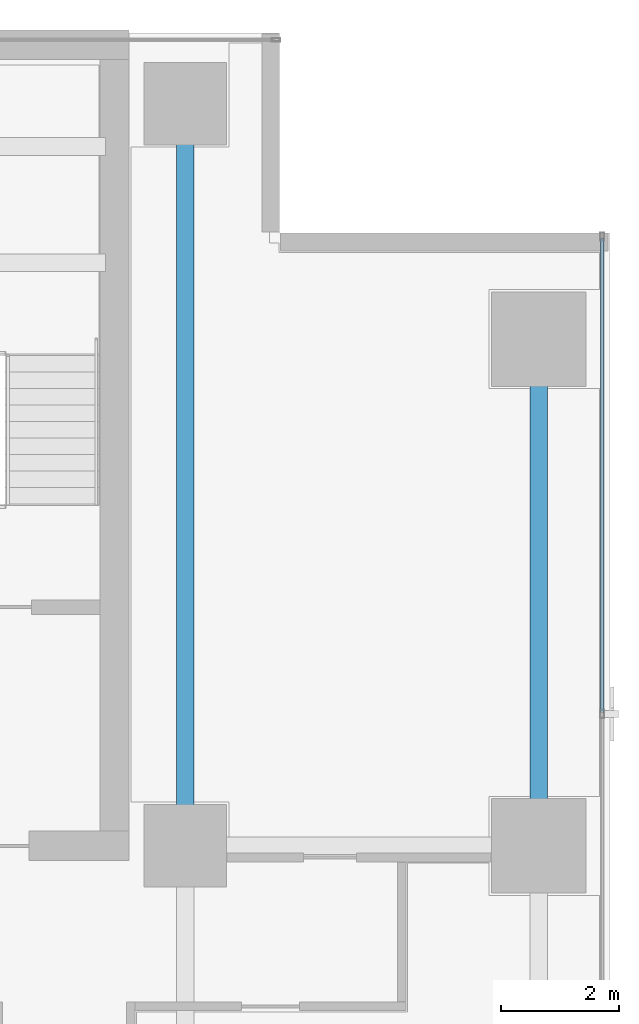
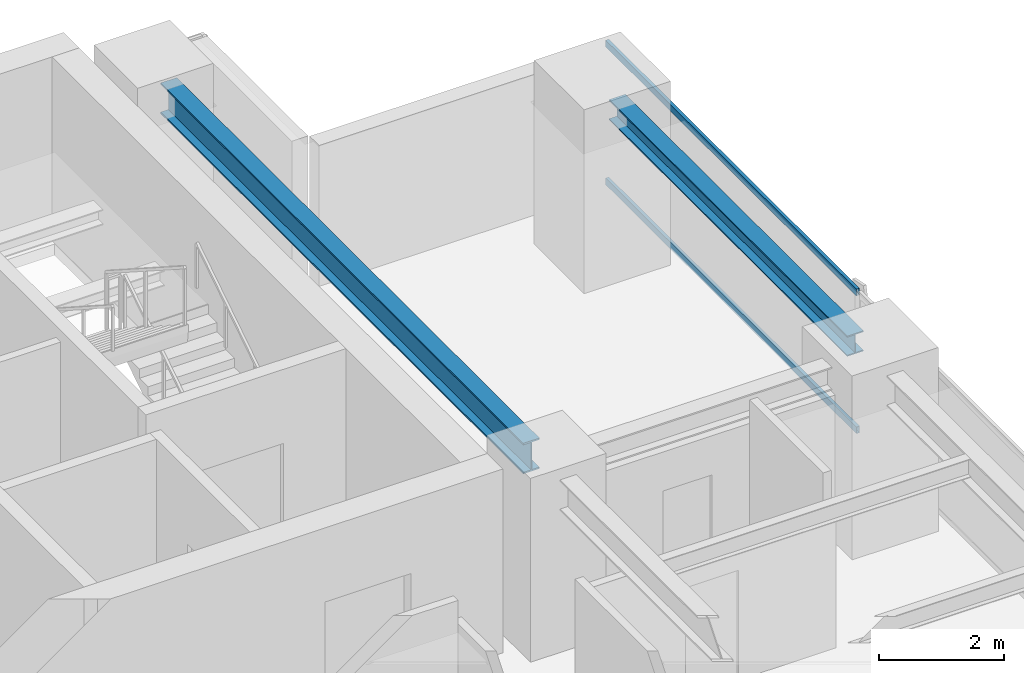
# One storey, part 18 of 29: 2 beams, 2 members, 1 element without a shape of its own.
"""IFC4 building model written with IfcOpenShell, lengths in metres."""

from ifc_helpers import new_model, si_unit, direction, frame, origin, origin_2d, place, context, subcontext, project, spatial, hollow_rectangle, i_section, extrude, source, transform, mapped, material, layer, layer_set, material_profile, profile_set, type_object, element, aggregate, save


model = new_model("IFC4")

# Units and contexts
model_context = context("Model", 3, precision=1e-05, world=origin(), true_north=direction((0.0, 1.0)))
body_context = subcontext(model_context, "Body", "Model", "MODEL_VIEW")
ifc_project = project(units=[si_unit("LENGTHUNIT", "METRE"), si_unit("AREAUNIT", "SQUARE_METRE"), si_unit("VOLUMEUNIT", "CUBIC_METRE"), si_unit("PLANEANGLEUNIT", "RADIAN"), si_unit("MASSUNIT", "GRAM", prefix="KILO")], contexts=[model_context])

# Site, building, storey
site_placement = place(None, origin())
site = spatial("IfcSite", under=ifc_project, at=site_placement, CompositionType="ELEMENT")
building_placement = place(site_placement, origin())
building = spatial("IfcBuilding", under=site, at=building_placement, Name="Sumidabori Civic Tower", CompositionType="ELEMENT")
storey_placement = place(building_placement, frame((0.0, 0.0, 214.39990234375)))
storey = spatial("IfcBuildingStorey", under=building, at=storey_placement, Name="L55", CompositionType="ELEMENT", Elevation=214.39990234375)

# Beams
ifc_material_1 = material(Name="Steel SN490", Category="steel")
ifc_material_profile_1 = material_profile(ifc_material_1, i_section(OverallWidth=0.300048828125, OverallDepth=0.39990234375, WebThickness=0.013427734375, FlangeThickness=0.02392578125, at=origin_2d()), Name="HE 400 B")
ifc_profile_set_1 = profile_set([ifc_material_profile_1], Name="Steel SN490")
beam_type_1 = type_object("IfcBeamType", Name="BM-GIRD-400", PredefinedType="BEAM", material=ifc_profile_set_1)
shared_shape_1 = source(origin(), body_context, "Body", "SweptSolid", [
    extrude(i_section(OverallWidth=0.300048828125, OverallDepth=0.39990234375, WebThickness=0.013427734375, FlangeThickness=0.02392578125, at=origin_2d()), origin(), (0.0, 0.0, 1.0), 7.64013671875),
])
beam_1_placement = place(storey_placement, frame((22.800048828125, 10.679931640625, 3.18017578125), z_axis=(0.0, 1.0, 0.0), x_axis=(-1.0, 0.0, 0.0)))
element("IfcBeam", 1, at=beam_1_placement, inside=storey, type_object=beam_type_1, Name="Primary Girder L55 GY-24", PredefinedType="BEAM", context=body_context, shape_type="MappedRepresentation", body=[
    mapped(shared_shape_1, transform((0.0, 0.0, 0.0), x_axis=(1.0, 0.0, 0.0), y_axis=(0.0, 1.0, 0.0), z_axis=(0.0, 0.0, 1.0), scale=1.0)),
])
ifc_material_profile_2 = material_profile(ifc_material_1, i_section(OverallWidth=0.300048828125, OverallDepth=0.60009765625, WebThickness=0.015380859375, FlangeThickness=0.030029296875, at=origin_2d()), Name="HE 600 B")
ifc_profile_set_2 = profile_set([ifc_material_profile_2], Name="Steel SN490")
beam_type_2 = type_object("IfcBeamType", Name="BM-GIRD-600", PredefinedType="BEAM", material=ifc_profile_set_2)
shared_shape_2 = source(origin(), body_context, "Body", "SweptSolid", [
    extrude(i_section(OverallWidth=0.300048828125, OverallDepth=0.60009765625, WebThickness=0.015380859375, FlangeThickness=0.030029296875, at=origin_2d()), origin(), (0.0, 0.0, 1.0), 11.64013671875),
])
beam_2_placement = place(storey_placement, frame((16.800048828125, 10.679931640625, 3.080078125), z_axis=(0.0, 1.0, 0.0), x_axis=(-1.0, 0.0, 0.0)))
element("IfcBeam", 2, at=beam_2_placement, inside=storey, type_object=beam_type_2, Name="Primary Girder L55 GY-21", PredefinedType="BEAM", context=body_context, shape_type="MappedRepresentation", body=[
    mapped(shared_shape_2, transform((0.0, 0.0, 0.0), x_axis=(1.0, 0.0, 0.0), y_axis=(0.0, 1.0, 0.0), z_axis=(0.0, 0.0, 1.0), scale=1.0)),
])

# Curtain wall, members
ifc_material_2 = material(Name="Anodised Bronze Aluminium AW-6063-T6", Category="aluminium")
ifc_layer = layer(ifc_material_2, 0.179931640625, Name="Anodised Bronze Aluminium AW-6063-T6")
ifc_layer_set = layer_set([ifc_layer], Name="Anodised Bronze Aluminium AW-6063-T6")
curtain_wall_type = type_object("IfcCurtainWallType", Name="CW-SYS-5", PredefinedType="NOTDEFINED", material=ifc_layer_set)
curtain_wall_placement = place(storey_placement, origin())
curtain_wall = element("IfcCurtainWall", 3, at=curtain_wall_placement, inside=storey, type_object=curtain_wall_type, Name="Curtain Wall CW:L55:R10", PredefinedType="NOTDEFINED")
ifc_material_profile_3 = material_profile(ifc_material_2, hollow_rectangle(XDim=0.06005859375, YDim=0.1298828125, WallThickness=0.0048828125, at=origin_2d()), Name="ALU TRANSOM 130x60")
ifc_profile_set_3 = profile_set([ifc_material_profile_3], Name="Anodised Bronze Aluminium AW-6063-T6")
member_type = type_object("IfcMemberType", Name="CW-TRN-130", PredefinedType="USERDEFINED", material=ifc_profile_set_3)
shared_shape_3 = source(origin(), body_context, "Body", "SweptSolid", [
    extrude(hollow_rectangle(XDim=0.06005859375, YDim=0.1298828125, WallThickness=0.0048828125, at=origin_2d()), origin(), (0.0, 0.0, 1.0), 8.044921875),
])
member_1_placement = place(storey_placement, frame((23.8798828125, 12.465087890625, 0.030029296875), z_axis=(0.0, 1.0, 0.0), x_axis=(-1.0, 0.0, 0.0)))
member_1 = element("IfcMember", 4, at=member_1_placement, type_object=member_type, Name="CW-5 transom 4.1", ObjectType="TRANSOM", PredefinedType="USERDEFINED", context=body_context, shape_type="MappedRepresentation", body=[
    mapped(shared_shape_3, transform((0.0, 0.0, 0.0), x_axis=(1.0, 0.0, 0.0), y_axis=(0.0, 1.0, 0.0), z_axis=(0.0, 0.0, 1.0), scale=1.0)),
])
member_2_placement = place(storey_placement, frame((23.8798828125, 12.465087890625, 2.72998046875), z_axis=(0.0, 1.0, 0.0), x_axis=(-1.0, 0.0, 0.0)))
member_2 = element("IfcMember", 5, at=member_2_placement, type_object=member_type, Name="CW-5 transom 4.2", ObjectType="TRANSOM", PredefinedType="USERDEFINED", context=body_context, shape_type="MappedRepresentation", body=[
    mapped(shared_shape_3, transform((0.0, 0.0, 0.0), x_axis=(1.0, 0.0, 0.0), y_axis=(0.0, 1.0, 0.0), z_axis=(0.0, 0.0, 1.0), scale=1.0)),
])
aggregate(curtain_wall, [member_1, member_2])

save(model, "model.ifc")
